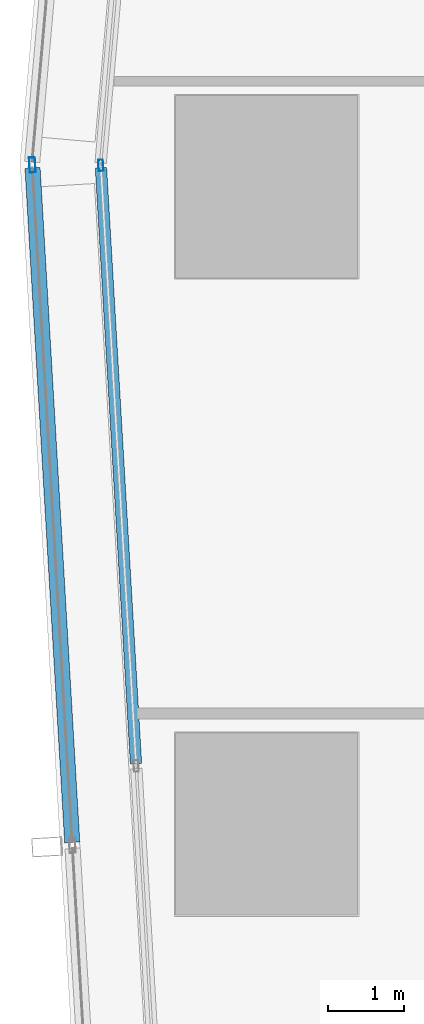
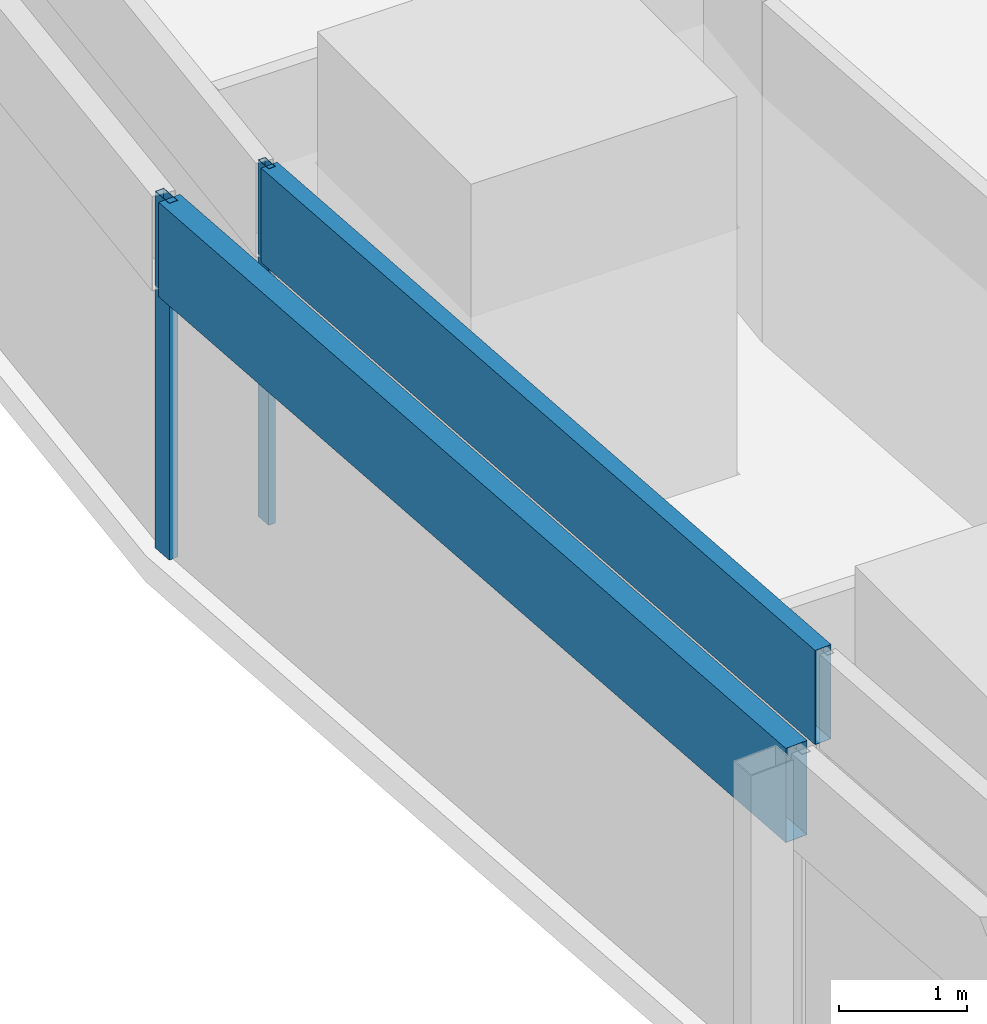
# One storey, part 7 of 34: 4 members, 2 elements without a shape of their own.
"""IFC4 building model written with IfcOpenShell, lengths in metres."""

from ifc_helpers import new_model, si_unit, direction, frame, origin, origin_2d, place, context, subcontext, project, spatial, hollow_rectangle, extrude, material, material_profile, profile_set, type_object, element, aggregate, save


model = new_model("IFC4")

# Units and contexts
model_context = context("Model", 3, precision=1e-05, world=origin(), true_north=direction((0.0, 1.0)))
body_context = subcontext(model_context, "Body", "Model", "MODEL_VIEW")
ifc_project = project(units=[si_unit("LENGTHUNIT", "METRE"), si_unit("AREAUNIT", "SQUARE_METRE"), si_unit("VOLUMEUNIT", "CUBIC_METRE"), si_unit("PLANEANGLEUNIT", "RADIAN"), si_unit("MASSUNIT", "GRAM", prefix="KILO")], contexts=[model_context])

# Site, building, storey
site_placement = place(None, origin())
site = spatial("IfcSite", under=ifc_project, at=site_placement, CompositionType="ELEMENT")
building_placement = place(site_placement, origin())
building = spatial("IfcBuilding", under=site, at=building_placement, Name="Rekha Terrace Tower", CompositionType="ELEMENT")
storey_placement = place(building_placement, frame((0.0, 0.0, 236.449951171875)))
storey = spatial("IfcBuildingStorey", under=building, at=storey_placement, Name="L60", CompositionType="ELEMENT", Elevation=236.449951171875)

# Curtain wall, members
ifc_material_1 = material(Name="Aluminium framing", Category="aluminium")
curtain_wall_type_1 = type_object("IfcCurtainWallType", Name="CW1 double skin inner glazing", PredefinedType="USERDEFINED", material=ifc_material_1)
curtain_wall_1_placement = place(storey_placement, origin())
curtain_wall_1 = element("IfcCurtainWall", 1, at=curtain_wall_1_placement, inside=storey, type_object=curtain_wall_type_1, Name="CW1 double skin inner glazing", ObjectType="DOUBLE SKIN INNER GLAZING", PredefinedType="USERDEFINED")
ifc_material_2 = material(Name="Aluminium mullion section", Category="aluminium")
ifc_material_profile_1 = material_profile(ifc_material_2, hollow_rectangle(XDim=0.06494140625, YDim=0.14990234375, WallThickness=0.00390625, at=origin_2d()), Name="AL RHS 65x150")
ifc_profile_set_1 = profile_set([ifc_material_profile_1], Name="Aluminium mullion section")
member_type_1 = type_object("IfcMemberType", Name="CW1 mullion RHS 65 x 150", PredefinedType="MULLION", material=ifc_profile_set_1)
member_1_placement = place(storey_placement, frame((6.214599609375, 42.281982421875, 0.0), z_axis=(0.0, 0.0, 1.0), x_axis=(0.998271839267, 0.058765082551, 0.0)))
member_1 = element("IfcMember", 2, at=member_1_placement, type_object=member_type_1, Name="CW1 mullion 1", PredefinedType="MULLION", context=body_context, shape_type="SweptSolid", body=[
    extrude(hollow_rectangle(XDim=0.06494140625, YDim=0.14990234375, WallThickness=0.00390625, at=origin_2d()), origin(), (0.0, 0.0, 1.0), 3.400146484375),
])
ifc_material_3 = material(Name="Insulated aluminium spandrel box", Category="aluminium")
ifc_material_profile_2 = material_profile(ifc_material_3, hollow_rectangle(XDim=0.14990234375, YDim=0.89990234375, WallThickness=0.0029296875, at=origin_2d()), Name="AL SPANDREL BOX 150x900")
ifc_profile_set_2 = profile_set([ifc_material_profile_2], Name="Insulated aluminium spandrel box")
member_type_2 = type_object("IfcMemberType", Name="CW1 spandrel transom 150 x 900", PredefinedType="USERDEFINED", material=ifc_profile_set_2)
member_2_placement = place(storey_placement, frame((6.216552734375, 42.24951171875, 2.949951171875), z_axis=(0.058762055073, -0.99827201748, 0.0), x_axis=(0.99827201748, 0.058762055073, 0.0)))
member_2 = element("IfcMember", 3, at=member_2_placement, type_object=member_type_2, Name="CW1 spandrel transom 1", ObjectType="TRANSOM", PredefinedType="USERDEFINED", context=body_context, shape_type="SweptSolid", body=[
    extrude(hollow_rectangle(XDim=0.14990234375, YDim=0.89990234375, WallThickness=0.0029296875, at=origin_2d()), origin(), (0.0, 0.0, 1.0), 7.864990234375),
])
aggregate(curtain_wall_1, [member_1, member_2])

curtain_wall_type_2 = type_object("IfcCurtainWallType", Name="CW2 double skin outer glazing", PredefinedType="USERDEFINED", material=ifc_material_1)
curtain_wall_2_placement = place(storey_placement, origin())
curtain_wall_2 = element("IfcCurtainWall", 4, at=curtain_wall_2_placement, inside=storey, type_object=curtain_wall_type_2, Name="CW2 double skin outer glazing", ObjectType="DOUBLE SKIN OUTER GLAZING", PredefinedType="USERDEFINED")
ifc_material_profile_3 = material_profile(ifc_material_2, hollow_rectangle(XDim=0.080078125, YDim=0.199951171875, WallThickness=0.00390625, at=origin_2d()), Name="AL RHS 80x200")
ifc_profile_set_3 = profile_set([ifc_material_profile_3], Name="Aluminium mullion section")
member_type_3 = type_object("IfcMemberType", Name="CW2 mullion RHS 80 x 200", PredefinedType="MULLION", material=ifc_profile_set_3)
member_3_placement = place(storey_placement, frame((5.312744140625, 42.287841796875, 0.0), z_axis=(0.0, 0.0, 1.0), x_axis=(0.99827183927, 0.058765082499, 0.0)))
member_3 = element("IfcMember", 5, at=member_3_placement, type_object=member_type_3, Name="CW2 mullion 1", PredefinedType="MULLION", context=body_context, shape_type="SweptSolid", body=[
    extrude(hollow_rectangle(XDim=0.080078125, YDim=0.199951171875, WallThickness=0.00390625, at=origin_2d()), origin(), (0.0, 0.0, 1.0), 3.400146484375),
])
ifc_material_profile_4 = material_profile(ifc_material_3, hollow_rectangle(XDim=0.199951171875, YDim=0.89990234375, WallThickness=0.0029296875, at=origin_2d()), Name="AL SPANDREL BOX 200x900")
ifc_profile_set_4 = profile_set([ifc_material_profile_4], Name="Insulated aluminium spandrel box")
member_type_4 = type_object("IfcMemberType", Name="CW2 spandrel transom 200 x 900", PredefinedType="USERDEFINED", material=ifc_profile_set_4)
member_4_placement = place(storey_placement, frame((5.315185546875, 42.247802734375, 2.949951171875), z_axis=(0.058762207171, -0.998272008527, 0.0), x_axis=(0.998272008527, 0.058762207171, 0.0)))
member_4 = element("IfcMember", 6, at=member_4_placement, type_object=member_type_4, Name="CW2 spandrel transom 1", ObjectType="TRANSOM", PredefinedType="USERDEFINED", context=body_context, shape_type="SweptSolid", body=[
    extrude(hollow_rectangle(XDim=0.199951171875, YDim=0.89990234375, WallThickness=0.0029296875, at=origin_2d()), origin(), (0.0, 0.0, 1.0), 8.903564453125),
])
aggregate(curtain_wall_2, [member_3, member_4])

save(model, "model.ifc")
